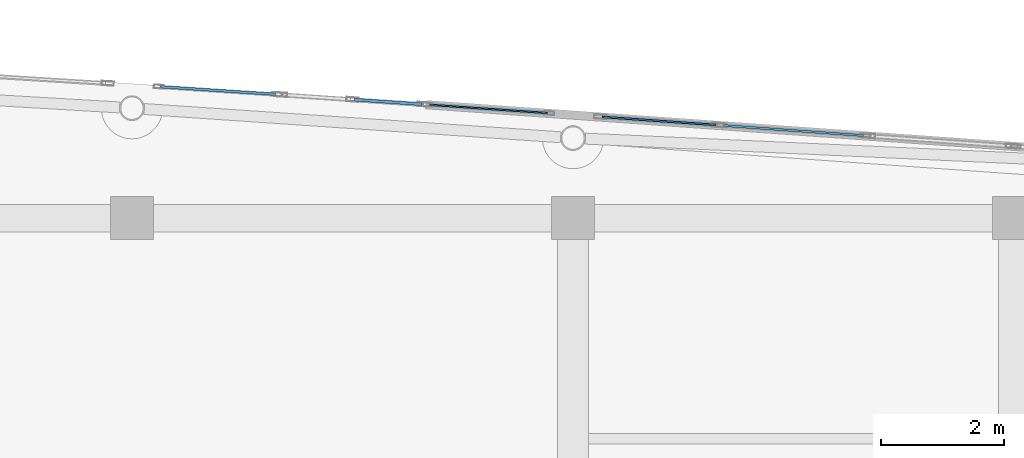
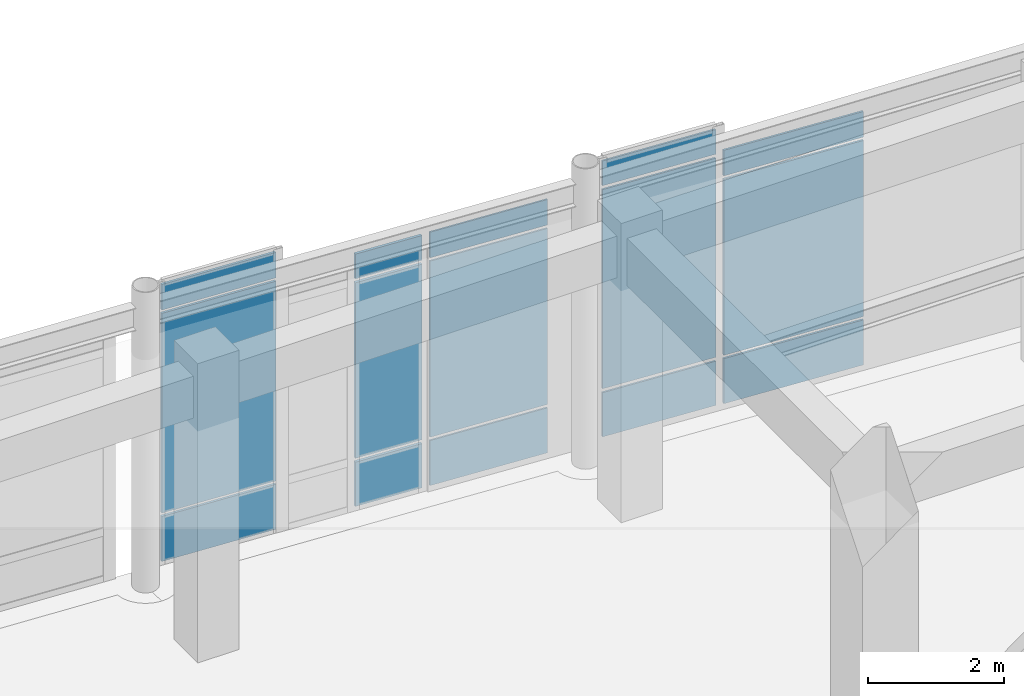
# One storey, part 67 of 102: 15 plates, 5 elements without a shape of their own.
"""IFC4 building model written with IfcOpenShell, lengths in metres."""

from ifc_helpers import new_model, si_unit, direction, frame, origin, origin_2d, place, context, subcontext, project, spatial, rectangle, extrude, material, layer, layer_set, type_object, element, aggregate, save


model = new_model("IFC4")

# Units and contexts
model_context = context("Model", 3, precision=1e-05, world=origin(), true_north=direction((0.0, 1.0)))
body_context = subcontext(model_context, "Body", "Model", "MODEL_VIEW")
ifc_project = project(units=[si_unit("LENGTHUNIT", "METRE"), si_unit("AREAUNIT", "SQUARE_METRE"), si_unit("VOLUMEUNIT", "CUBIC_METRE"), si_unit("PLANEANGLEUNIT", "RADIAN"), si_unit("MASSUNIT", "GRAM", prefix="KILO")], contexts=[model_context])

# Site, building, storey
site_placement = place(None, origin())
site = spatial("IfcSite", under=ifc_project, at=site_placement, CompositionType="ELEMENT")
building_placement = place(site_placement, origin())
building = spatial("IfcBuilding", under=site, at=building_placement, Name="Carrowvane Square Congress Hotel", CompositionType="ELEMENT")
storey_placement = place(building_placement, origin())
storey = spatial("IfcBuildingStorey", under=building, at=storey_placement, Name="L00", CompositionType="ELEMENT", Elevation=0.0)

# Curtain wall, plates
ifc_material_1 = material(Name="Anodised aluminium", Category="aluminium")
ifc_layer_1 = layer(ifc_material_1, 0.162109375)
ifc_layer_set_1 = layer_set([ifc_layer_1], Name="Anodised aluminium")
curtain_wall_type_1 = type_object("IfcCurtainWallType", Name="CW-SYS-1", PredefinedType="NOTDEFINED", material=ifc_layer_set_1)
curtain_wall_1_placement = place(storey_placement, origin())
curtain_wall_1 = element("IfcCurtainWall", 1, at=curtain_wall_1_placement, inside=storey, type_object=curtain_wall_type_1, Name="L00 unitised curtain wall 40", PredefinedType="NOTDEFINED")
ifc_material_2 = material(Name="Double-glazed low-E glass", Category="glass")
ifc_layer_2 = layer(ifc_material_2, 0.028076171875)
ifc_layer_set_2 = layer_set([ifc_layer_2], Name="Double-glazed low-E glass")
plate_type_1 = type_object("IfcPlateType", Name="CW-PAN-1", PredefinedType="CURTAIN_PANEL", material=ifc_layer_set_2)
plate_1_placement = place(storey_placement, frame((132.621337890625, 115.182373046875, 0.06005859375), z_axis=(0.0, 0.0, 1.0), x_axis=(0.997566119277, -0.069726879118, 0.0)))
plate_1 = element("IfcPlate", 2, at=plate_1_placement, type_object=plate_type_1, Name="CW-1 panel 1.1", PredefinedType="CURTAIN_PANEL", context=body_context, shape_type="SweptSolid", body=[
    extrude(rectangle(XDim=1.927734375, YDim=0.028076171875, at=origin_2d()), origin(), (0.0, 0.0, 1.0), 0.81005859375),
])
plate_2_placement = place(storey_placement, frame((132.621337890625, 115.182373046875, 0.929931640625), z_axis=(0.0, 0.0, 1.0), x_axis=(0.997566119277, -0.069726879118, 0.0)))
plate_2 = element("IfcPlate", 3, at=plate_2_placement, type_object=plate_type_1, Name="CW-1 panel 1.2", PredefinedType="CURTAIN_PANEL", context=body_context, shape_type="SweptSolid", body=[
    extrude(rectangle(XDim=1.927734375, YDim=0.028076171875, at=origin_2d()), origin(), (0.0, 0.0, 1.0), 3.16552734375),
])
plate_3_placement = place(storey_placement, frame((132.621337890625, 115.182373046875, 4.155517578125), z_axis=(0.0, 0.0, 1.0), x_axis=(0.997566119277, -0.069726879118, 0.0)))
plate_3 = element("IfcPlate", 4, at=plate_3_placement, type_object=plate_type_1, Name="CW-1 panel 1.3", PredefinedType="CURTAIN_PANEL", context=body_context, shape_type="SweptSolid", body=[
    extrude(rectangle(XDim=1.927734375, YDim=0.028076171875, at=origin_2d()), origin(), (0.0, 0.0, 1.0), 0.4599609375),
])
aggregate(curtain_wall_1, [plate_1, plate_2, plate_3])

ifc_material_3 = material(Name="Anodised aluminium", Category="aluminium")
ifc_layer_3 = layer(ifc_material_3, 0.174072265625)
ifc_layer_set_3 = layer_set([ifc_layer_3], Name="Anodised aluminium")
curtain_wall_type_2 = type_object("IfcCurtainWallType", Name="CW-SYS-2", PredefinedType="NOTDEFINED", material=ifc_layer_set_3)
curtain_wall_2_placement = place(storey_placement, origin())
curtain_wall_2 = element("IfcCurtainWall", 5, at=curtain_wall_2_placement, inside=storey, type_object=curtain_wall_type_2, Name="L00 unitised curtain wall 41", PredefinedType="NOTDEFINED")
ifc_material_4 = material(Name="Double-glazed low-E glass", Category="glass")
ifc_layer_4 = layer(ifc_material_4, 0.031982421875)
ifc_layer_set_4 = layer_set([ifc_layer_4], Name="Double-glazed low-E glass")
plate_type_2 = type_object("IfcPlateType", Name="CW-PAN-2", PredefinedType="CURTAIN_PANEL", material=ifc_layer_set_4)
plate_4_placement = place(storey_placement, frame((135.4052734375, 114.986083984375, 0.070068359375), z_axis=(0.0, 0.0, 1.0), x_axis=(0.997479171673, -0.070959862453, 0.0)))
plate_4 = element("IfcPlate", 6, at=plate_4_placement, type_object=plate_type_2, Name="CW-2 panel 1.1", PredefinedType="CURTAIN_PANEL", context=body_context, shape_type="SweptSolid", body=[
    extrude(rectangle(XDim=1.8544921875, YDim=0.031982421875, at=origin_2d()), origin(), (0.0, 0.0, 1.0), 0.794921875),
])
plate_5_placement = place(storey_placement, frame((135.4052734375, 114.986083984375, 0.93505859375), z_axis=(0.0, 0.0, 1.0), x_axis=(0.997479171673, -0.070959862453, 0.0)))
plate_5 = element("IfcPlate", 7, at=plate_5_placement, type_object=plate_type_2, Name="CW-2 panel 1.2", PredefinedType="CURTAIN_PANEL", context=body_context, shape_type="SweptSolid", body=[
    extrude(rectangle(XDim=1.8544921875, YDim=0.031982421875, at=origin_2d()), origin(), (0.0, 0.0, 1.0), 3.580078125),
])
plate_6_placement = place(storey_placement, frame((135.4052734375, 114.986083984375, 4.5849609375), z_axis=(0.0, 0.0, 1.0), x_axis=(0.997479171673, -0.070959862453, 0.0)))
plate_6 = element("IfcPlate", 8, at=plate_6_placement, type_object=plate_type_2, Name="CW-2 panel 1.3", PredefinedType="CURTAIN_PANEL", context=body_context, shape_type="SweptSolid", body=[
    extrude(rectangle(XDim=1.8544921875, YDim=0.031982421875, at=origin_2d()), origin(), (0.0, 0.0, 1.0), 0.445068359375),
])
aggregate(curtain_wall_2, [plate_4, plate_5, plate_6])

ifc_material_5 = material(Name="Anodised aluminium", Category="aluminium")
ifc_layer_5 = layer(ifc_material_5, 0.18603515625)
ifc_layer_set_5 = layer_set([ifc_layer_5], Name="Anodised aluminium")
curtain_wall_type_3 = type_object("IfcCurtainWallType", Name="CW-SYS-3", PredefinedType="NOTDEFINED", material=ifc_layer_set_5)
curtain_wall_3_placement = place(storey_placement, origin())
curtain_wall_3 = element("IfcCurtainWall", 9, at=curtain_wall_3_placement, inside=storey, type_object=curtain_wall_type_3, Name="L00 unitised curtain wall 42", PredefinedType="NOTDEFINED")
ifc_material_6 = material(Name="Double-glazed low-E glass", Category="glass")
ifc_layer_6 = layer(ifc_material_6, 0.035888671875)
ifc_layer_set_6 = layer_set([ifc_layer_6], Name="Double-glazed low-E glass")
plate_type_3 = type_object("IfcPlateType", Name="CW-PAN-3", PredefinedType="CURTAIN_PANEL", material=ifc_layer_set_6)
plate_7_placement = place(storey_placement, frame((137.60009765625, 114.8291015625, 0.06005859375), z_axis=(0.0, 0.0, 1.0), x_axis=(0.997438322595, -0.071531759512, 0.0)))
plate_7 = element("IfcPlate", 10, at=plate_7_placement, type_object=plate_type_3, Name="CW-3 panel 1.1", PredefinedType="CURTAIN_PANEL", context=body_context, shape_type="SweptSolid", body=[
    extrude(rectangle(XDim=2.2861328125, YDim=0.035888671875, at=origin_2d()), origin(), (0.0, 0.0, 1.0), 0.81005859375),
])
plate_8_placement = place(storey_placement, frame((137.60009765625, 114.8291015625, 0.929931640625), z_axis=(0.0, 0.0, 1.0), x_axis=(0.997438322595, -0.071531759512, 0.0)))
plate_8 = element("IfcPlate", 11, at=plate_8_placement, type_object=plate_type_3, Name="CW-3 panel 1.2", PredefinedType="CURTAIN_PANEL", context=body_context, shape_type="SweptSolid", body=[
    extrude(rectangle(XDim=2.2861328125, YDim=0.035888671875, at=origin_2d()), origin(), (0.0, 0.0, 1.0), 3.16552734375),
])
plate_9_placement = place(storey_placement, frame((137.60009765625, 114.8291015625, 4.155517578125), z_axis=(0.0, 0.0, 1.0), x_axis=(0.997438322595, -0.071531759512, 0.0)))
plate_9 = element("IfcPlate", 12, at=plate_9_placement, type_object=plate_type_3, Name="CW-3 panel 1.3", PredefinedType="CURTAIN_PANEL", context=body_context, shape_type="SweptSolid", body=[
    extrude(rectangle(XDim=2.2861328125, YDim=0.035888671875, at=origin_2d()), origin(), (0.0, 0.0, 1.0), 0.4599609375),
])
aggregate(curtain_wall_3, [plate_7, plate_8, plate_9])

ifc_material_7 = material(Name="Anodised aluminium", Category="aluminium")
ifc_layer_7 = layer(ifc_material_7, 0.23388671875)
ifc_layer_set_7 = layer_set([ifc_layer_7], Name="Anodised aluminium")
curtain_wall_type_4 = type_object("IfcCurtainWallType", Name="CW-SYS-7", PredefinedType="NOTDEFINED", material=ifc_layer_set_7)
curtain_wall_4_placement = place(storey_placement, origin())
curtain_wall_4 = element("IfcCurtainWall", 13, at=curtain_wall_4_placement, inside=storey, type_object=curtain_wall_type_4, Name="L00 unitised curtain wall 38", PredefinedType="NOTDEFINED")
ifc_material_8 = material(Name="Double-glazed low-E glass", Category="glass")
ifc_layer_8 = layer(ifc_material_8, 0.0419921875)
ifc_layer_set_8 = layer_set([ifc_layer_8], Name="Double-glazed low-E glass")
plate_type_4 = type_object("IfcPlateType", Name="CW-PAN-4", PredefinedType="CURTAIN_PANEL", material=ifc_layer_set_8)
plate_10_placement = place(storey_placement, frame((128.204345703125, 115.482177734375, 0.06005859375), z_axis=(0.0, 0.0, 1.0), x_axis=(0.9978582145, -0.065413941589, 0.0)))
plate_10 = element("IfcPlate", 14, at=plate_10_placement, type_object=plate_type_4, Name="CW-7 panel 1.1", PredefinedType="CURTAIN_PANEL", context=body_context, shape_type="SweptSolid", body=[
    extrude(rectangle(XDim=1.8759765625, YDim=0.0419921875, at=origin_2d()), origin(), (0.0, 0.0, 1.0), 0.81005859375),
])
plate_11_placement = place(storey_placement, frame((128.204345703125, 115.482177734375, 0.93017578125), z_axis=(0.0, 0.0, 1.0), x_axis=(0.9978582145, -0.065413941589, 0.0)))
plate_11 = element("IfcPlate", 15, at=plate_11_placement, type_object=plate_type_4, Name="CW-7 panel 1.2", PredefinedType="CURTAIN_PANEL", context=body_context, shape_type="SweptSolid", body=[
    extrude(rectangle(XDim=1.8759765625, YDim=0.0419921875, at=origin_2d()), origin(), (0.0, 0.0, 1.0), 3.590087890625),
])
plate_12_placement = place(storey_placement, frame((128.204345703125, 115.482177734375, 4.580078125), z_axis=(0.0, 0.0, 1.0), x_axis=(0.9978582145, -0.065413941589, 0.0)))
plate_12 = element("IfcPlate", 16, at=plate_12_placement, type_object=plate_type_4, Name="CW-7 panel 1.3", PredefinedType="CURTAIN_PANEL", context=body_context, shape_type="SweptSolid", body=[
    extrude(rectangle(XDim=1.8759765625, YDim=0.0419921875, at=origin_2d()), origin(), (0.0, 0.0, 1.0), 0.4599609375),
])
aggregate(curtain_wall_4, [plate_10, plate_11, plate_12])

ifc_material_9 = material(Name="Anodised aluminium", Category="aluminium")
ifc_layer_9 = layer(ifc_material_9, 0.24609375)
ifc_layer_set_9 = layer_set([ifc_layer_9], Name="Anodised aluminium")
curtain_wall_type_5 = type_object("IfcCurtainWallType", Name="CW-SYS-8", PredefinedType="NOTDEFINED", material=ifc_layer_set_9)
curtain_wall_5_placement = place(storey_placement, origin())
curtain_wall_5 = element("IfcCurtainWall", 17, at=curtain_wall_5_placement, inside=storey, type_object=curtain_wall_type_5, Name="L00 unitised curtain wall 39", PredefinedType="NOTDEFINED")
ifc_material_10 = material(Name="Double-glazed low-E glass", Category="glass")
ifc_layer_10 = layer(ifc_material_10, 0.048095703125)
ifc_layer_set_10 = layer_set([ifc_layer_10], Name="Double-glazed low-E glass")
plate_type_5 = type_object("IfcPlateType", Name="CW-PAN-5", PredefinedType="CURTAIN_PANEL", material=ifc_layer_set_10)
plate_13_placement = place(storey_placement, frame((130.982421875, 115.295654296875, 0.070068359375), z_axis=(0.0, 0.0, 1.0), x_axis=(0.99769420292, -0.067869562107, 0.0)))
plate_13 = element("IfcPlate", 18, at=plate_13_placement, type_object=plate_type_5, Name="CW-8 panel 2.1", PredefinedType="CURTAIN_PANEL", context=body_context, shape_type="SweptSolid", body=[
    extrude(rectangle(XDim=1.09765625, YDim=0.048095703125, at=origin_2d()), origin(), (0.0, 0.0, 1.0), 0.794921875),
])
plate_14_placement = place(storey_placement, frame((130.982421875, 115.295654296875, 0.93505859375), z_axis=(0.0, 0.0, 1.0), x_axis=(0.99769420292, -0.067869562107, 0.0)))
plate_14 = element("IfcPlate", 19, at=plate_14_placement, type_object=plate_type_5, Name="CW-8 panel 2.2", PredefinedType="CURTAIN_PANEL", context=body_context, shape_type="SweptSolid", body=[
    extrude(rectangle(XDim=1.09765625, YDim=0.048095703125, at=origin_2d()), origin(), (0.0, 0.0, 1.0), 3.155517578125),
])
plate_15_placement = place(storey_placement, frame((130.982421875, 115.295654296875, 4.16064453125), z_axis=(0.0, 0.0, 1.0), x_axis=(0.99769420292, -0.067869562107, 0.0)))
plate_15 = element("IfcPlate", 20, at=plate_15_placement, type_object=plate_type_5, Name="CW-8 panel 2.3", PredefinedType="CURTAIN_PANEL", context=body_context, shape_type="SweptSolid", body=[
    extrude(rectangle(XDim=1.09765625, YDim=0.048095703125, at=origin_2d()), origin(), (0.0, 0.0, 1.0), 0.445068359375),
])
aggregate(curtain_wall_5, [plate_13, plate_14, plate_15])

save(model, "model.ifc")
